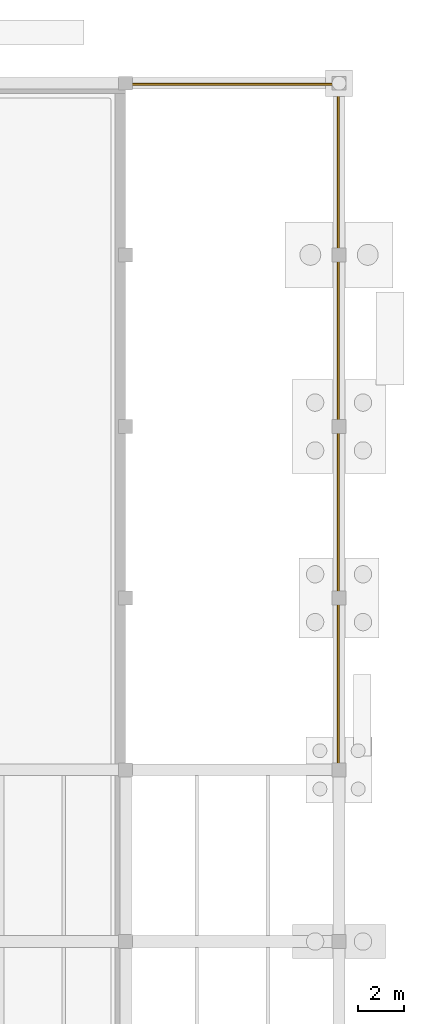
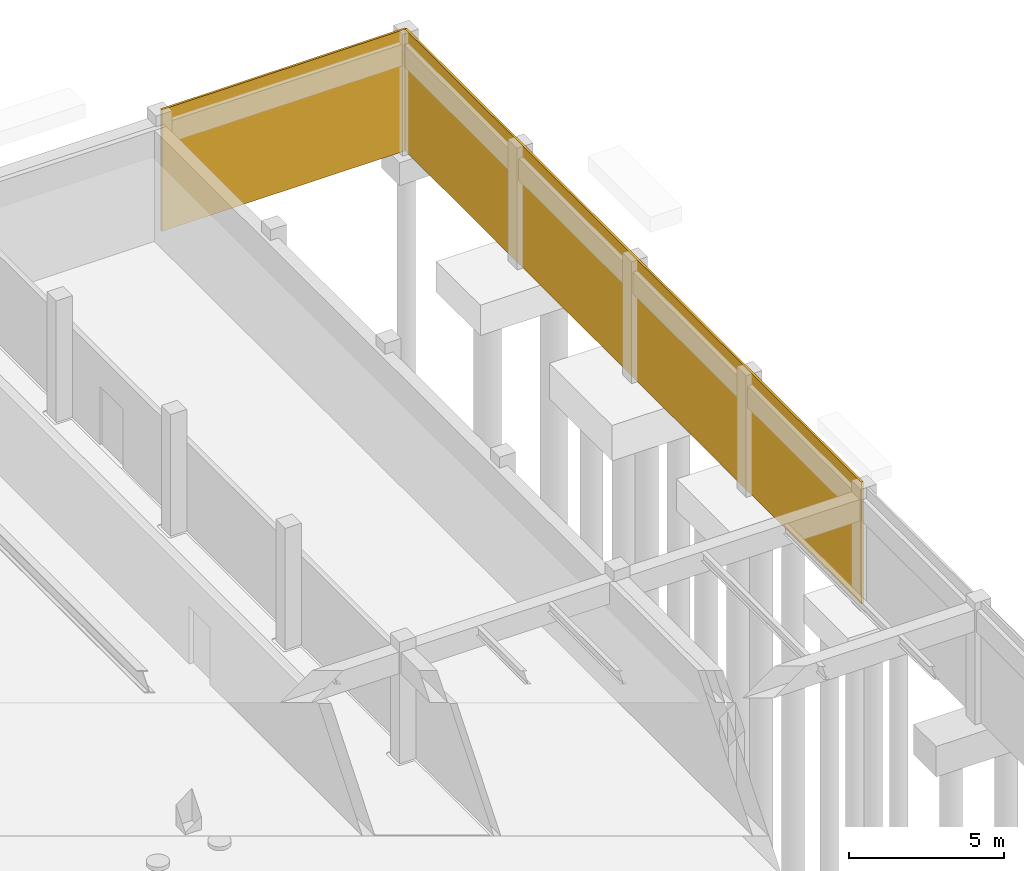
# One storey, part 39 of 40: 2 coverings.
"""IFC4 building model written with IfcOpenShell, lengths in metres."""

from ifc_helpers import new_model, si_unit, direction, frame, frame_2d, origin, place, context, subcontext, project, spatial, rectangle, extrude, material, layer, layer_set, type_object, element, save


model = new_model("IFC4")

# Units and contexts
model_context = context("Model", 3, precision=1e-05, world=origin(), true_north=direction((0.0, 1.0)))
body_context = subcontext(model_context, "Body", "Model", "MODEL_VIEW")
ifc_project = project(units=[si_unit("LENGTHUNIT", "METRE"), si_unit("AREAUNIT", "SQUARE_METRE"), si_unit("VOLUMEUNIT", "CUBIC_METRE"), si_unit("PLANEANGLEUNIT", "RADIAN"), si_unit("MASSUNIT", "GRAM", prefix="KILO")], contexts=[model_context])

# Site, building, storey
site_placement = place(None, origin())
site = spatial("IfcSite", under=ifc_project, at=site_placement, CompositionType="ELEMENT")
building_placement = place(site_placement, origin())
building = spatial("IfcBuilding", under=site, at=building_placement, Name="Valkorina Park Police Headquarters", CompositionType="ELEMENT")
storey_placement = place(building_placement, frame((0.0, 0.0, -4.800048828125)))
storey = spatial("IfcBuildingStorey", under=building, at=storey_placement, Name="B01", CompositionType="ELEMENT", Elevation=-4.800048828125)

# Coverings
ifc_material = material(Name="Precast concrete C40/50", Category="concrete")
ifc_layer = layer(ifc_material, 0.044921875)
ifc_layer_set = layer_set([ifc_layer], Name="Precast concrete C40/50")
covering_type = type_object("IfcCoveringType", Name="COV-CLAD-DOLOMITE", PredefinedType="CLADDING", material=ifc_layer_set)
covering_1_placement = place(storey_placement, frame((152.840087890625, 110.9599609375, 0.0), z_axis=(0.0, 0.0, 1.0), x_axis=(1.0, 0.0, 0.0)))
element("IfcCovering", 1, at=covering_1_placement, inside=storey, type_object=covering_type, Name="Substructure Frost Plinth Cladding 06", PredefinedType="CLADDING", context=body_context, shape_type="SweptSolid", body=[
    extrude(rectangle(XDim=9.119873046875, YDim=0.080078125, at=frame_2d((4.56005859375, 0.0))), origin(), (0.0, 0.0, 1.0), 4.800048828125),
])
covering_2_placement = place(storey_placement, frame((161.9599609375, 110.9599609375, 0.0), z_axis=(0.0, 0.0, 1.0), x_axis=(0.0, -1.0, 0.0)))
element("IfcCovering", 2, at=covering_2_placement, inside=storey, type_object=covering_type, Name="Substructure Frost Plinth Cladding 07", PredefinedType="CLADDING", context=body_context, shape_type="SweptSolid", body=[
    extrude(rectangle(XDim=29.52001953125, YDim=0.080078125, at=frame_2d((14.760009765625, 0.0))), origin(), (0.0, 0.0, 1.0), 4.800048828125),
])

save(model, "model.ifc")
